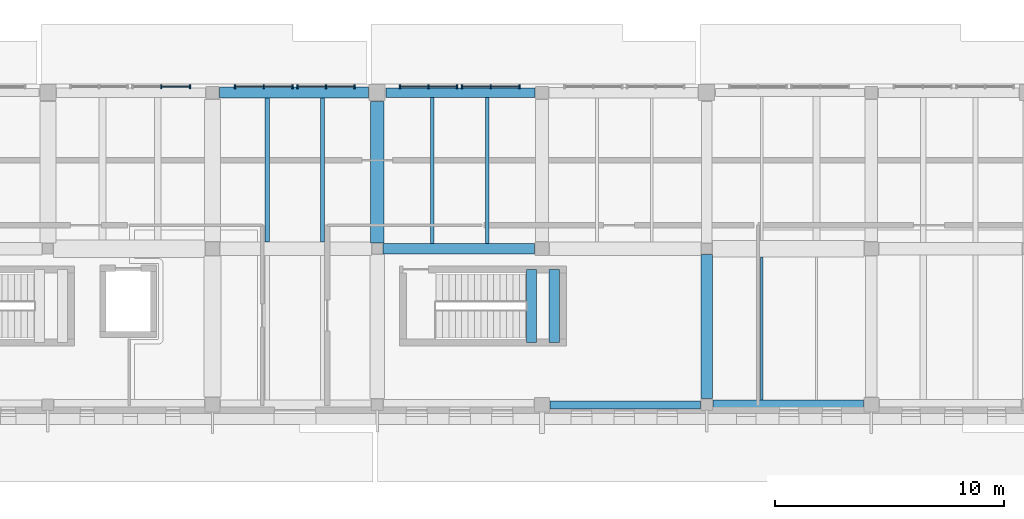
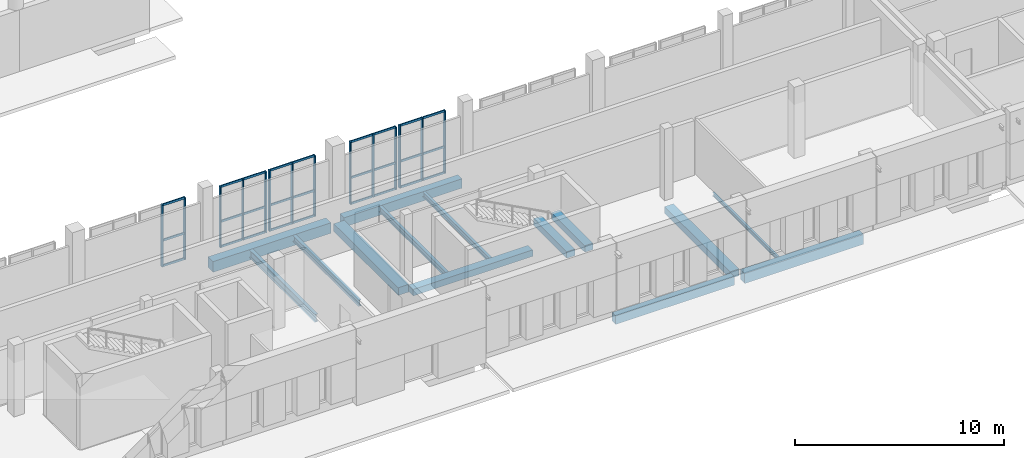
# One storey, part 14 of 77: 41 members, 14 beams, 5 elements without a shape of their own.
"""IFC4 building model written with IfcOpenShell, lengths in metres."""

from ifc_helpers import new_model, si_unit, direction, frame, origin, origin_2d, place, context, subcontext, project, spatial, rectangle, i_section, extrude, material, layer, layer_set, material_profile, profile_set, type_object, element, aggregate, save


model = new_model("IFC4")

# Units and contexts
model_context = context("Model", 3, precision=1e-05, world=origin(), true_north=direction((0.0, 1.0)))
body_context = subcontext(model_context, "Body", "Model", "MODEL_VIEW")
ifc_project = project(units=[si_unit("LENGTHUNIT", "METRE"), si_unit("AREAUNIT", "SQUARE_METRE"), si_unit("VOLUMEUNIT", "CUBIC_METRE"), si_unit("PLANEANGLEUNIT", "RADIAN"), si_unit("MASSUNIT", "GRAM", prefix="KILO")], contexts=[model_context])

# Site, building, storey
site_placement = place(None, origin())
site = spatial("IfcSite", under=ifc_project, at=site_placement, CompositionType="ELEMENT")
building_placement = place(site_placement, origin())
building = spatial("IfcBuilding", under=site, at=building_placement, Name="Vardoun Plaza Health Centre", CompositionType="ELEMENT")
storey_placement = place(building_placement, origin())
storey = spatial("IfcBuildingStorey", under=building, at=storey_placement, Name="L00", CompositionType="ELEMENT", Elevation=0.0)

# Beams
ifc_material_1 = material(Name="Concrete C35/45", Category="concrete")
ifc_material_profile_1 = material_profile(ifc_material_1, rectangle(XDim=0.35009765625, YDim=0.5, at=origin_2d()), Name="RC-BM 350x500")
ifc_profile_set_1 = profile_set([ifc_material_profile_1], Name="Concrete C35/45")
beam_type_1 = type_object("IfcBeamType", Name="B-08", PredefinedType="SPANDREL", material=ifc_profile_set_1)
beam_1_placement = place(storey_placement, frame((84.22998046875, 4.8798828125, -0.56494140625), z_axis=(1.0, 0.0, 0.0), x_axis=(0.0, 1.0, 0.0)))
element("IfcBeam", 1, at=beam_1_placement, inside=storey, type_object=beam_type_1, Name="V4 L00 Beam B-V4-L00-X16", PredefinedType="SPANDREL", context=body_context, shape_type="SweptSolid", body=[
    extrude(rectangle(XDim=0.35009765625, YDim=0.5, at=origin_2d()), origin(), (0.0, 0.0, 1.0), 6.574951171875),
])
ifc_material_2 = material(Name="Concrete C35/45", Category="concrete")
ifc_material_profile_2 = material_profile(ifc_material_2, rectangle(XDim=0.39990234375, YDim=0.550048828125, at=origin_2d()), Name="RC-BM 400x550")
ifc_profile_set_2 = profile_set([ifc_material_profile_2], Name="Concrete C35/45")
beam_type_2 = type_object("IfcBeamType", Name="B-09", PredefinedType="SPANDREL", material=ifc_profile_set_2)
beam_2_placement = place(storey_placement, frame((77.054931640625, 18.52001953125, -0.590087890625), z_axis=(1.0, 0.0, 0.0), x_axis=(0.0, 1.0, 0.0)))
element("IfcBeam", 2, at=beam_2_placement, inside=storey, type_object=beam_type_2, Name="V4 L00 Beam B-V4-L00-X15", PredefinedType="SPANDREL", context=body_context, shape_type="SweptSolid", body=[
    extrude(rectangle(XDim=0.39990234375, YDim=0.550048828125, at=origin_2d()), origin(), (0.0, 0.0, 1.0), 6.525146484375),
])
ifc_material_3 = material(Name="Concrete C35/45", Category="concrete")
ifc_material_profile_3 = material_profile(ifc_material_3, rectangle(XDim=0.419921875, YDim=0.580078125, at=origin_2d()), Name="RC-BM 420x580")
ifc_profile_set_3 = profile_set([ifc_material_profile_3], Name="Concrete C35/45")
beam_type_3 = type_object("IfcBeamType", Name="B-10", PredefinedType="SPANDREL", material=ifc_profile_set_3)
beam_3_placement = place(storey_placement, frame((91.35498046875, 4.8798828125, -0.60498046875), z_axis=(1.0, 0.0, 0.0), x_axis=(0.0, 1.0, 0.0)))
element("IfcBeam", 3, at=beam_3_placement, inside=storey, type_object=beam_type_3, Name="V4 L00 Beam B-V4-L00-X19", PredefinedType="SPANDREL", context=body_context, shape_type="SweptSolid", body=[
    extrude(rectangle(XDim=0.419921875, YDim=0.580078125, at=origin_2d()), origin(), (0.0, 0.0, 1.0), 6.574951171875),
])
ifc_material_4 = material(Name="Concrete C35/45", Category="concrete")
ifc_material_profile_4 = material_profile(ifc_material_4, rectangle(XDim=0.449951171875, YDim=0.3798828125, at=origin_2d()), Name="RC-BM 450x380")
ifc_profile_set_4 = profile_set([ifc_material_profile_4], Name="Concrete C35/45")
beam_type_4 = type_object("IfcBeamType", Name="B-01", PredefinedType="BEAM", material=ifc_profile_set_4)
beam_4_placement = place(storey_placement, frame((76.929931640625, 11.699951171875, -0.5048828125), z_axis=(1.0, 0.0, 0.0), x_axis=(0.0, 1.0, 0.0)))
element("IfcBeam", 4, at=beam_4_placement, inside=storey, type_object=beam_type_4, Name="V4 L00 Beam B-V4-L00-X14", PredefinedType="BEAM", context=body_context, shape_type="SweptSolid", body=[
    extrude(rectangle(XDim=0.449951171875, YDim=0.3798828125, at=origin_2d()), origin(), (0.0, 0.0, 1.0), 6.625),
])
for number, where, z_axis, x_axis, name in (
    (5, (83.419921875, 7.60009765625, 1.860107421875), (0.0, 1.0, 0.0), (-1.0, 0.0, 0.0), "Stair ST-C7-L00 Landing Beam 1"),
    (6, (84.419921875, 7.60009765625, 1.860107421875), (0.0, 1.0, 0.0), (-1.0, 0.0, 0.0), "Stair ST-C7-L00 Landing Beam 2"),
):
    element("IfcBeam", number, at=place(storey_placement, frame(where, z_axis=z_axis, x_axis=x_axis)), inside=storey, type_object=beam_type_4, Name=name, PredefinedType="BEAM", context=body_context, shape_type="SweptSolid", body=[
        extrude(rectangle(XDim=0.449951171875, YDim=0.3798828125, at=origin_2d()), origin(), (0.0, 0.0, 1.0), 3.199951171875),
    ])
ifc_material_5 = material(Name="Concrete C35/45", Category="concrete")
ifc_material_profile_5 = material_profile(ifc_material_5, rectangle(XDim=0.47998046875, YDim=0.6201171875, at=origin_2d()), Name="RC-BM 480x620")
ifc_profile_set_5 = profile_set([ifc_material_profile_5], Name="Concrete C35/45")
beam_type_5 = type_object("IfcBeamType", Name="B-12", PredefinedType="SPANDREL", material=ifc_profile_set_5)
beam_5_placement = place(storey_placement, frame((69.780029296875, 18.52001953125, -0.625), z_axis=(1.0, 0.0, 0.0), x_axis=(0.0, 1.0, 0.0)))
element("IfcBeam", 7, at=beam_5_placement, inside=storey, type_object=beam_type_5, Name="V4 L00 Beam B-V4-L00-X12", PredefinedType="SPANDREL", context=body_context, shape_type="SweptSolid", body=[
    extrude(rectangle(XDim=0.47998046875, YDim=0.6201171875, at=origin_2d()), origin(), (0.0, 0.0, 1.0), 6.52490234375),
])
ifc_material_6 = material(Name="Concrete C35/45", Category="concrete")
ifc_material_profile_6 = material_profile(ifc_material_6, rectangle(XDim=0.5, YDim=0.39990234375, at=origin_2d()), Name="RC-BM 500x400")
ifc_profile_set_6 = profile_set([ifc_material_profile_6], Name="Concrete C35/45")
beam_type_6 = type_object("IfcBeamType", Name="B-02", PredefinedType="BEAM", material=ifc_profile_set_6)
beam_6_placement = place(storey_placement, frame((91.080078125, 5.155029296875, -0.514892578125), z_axis=(0.0, 1.0, 0.0), x_axis=(-1.0, 0.0, 0.0)))
element("IfcBeam", 8, at=beam_6_placement, inside=storey, type_object=beam_type_6, Name="V4 L00 Beam B-V4-L00-Y35", PredefinedType="BEAM", context=body_context, shape_type="SweptSolid", body=[
    extrude(rectangle(XDim=0.5, YDim=0.39990234375, at=origin_2d()), origin(), (0.0, 0.0, 1.0), 6.294921875),
])
ifc_material_7 = material(Name="Concrete C35/45", Category="concrete")
ifc_material_profile_7 = material_profile(ifc_material_7, rectangle(XDim=0.60009765625, YDim=0.449951171875, at=origin_2d()), Name="RC-BM 600x450")
ifc_profile_set_7 = profile_set([ifc_material_profile_7], Name="Concrete C35/45")
beam_type_7 = type_object("IfcBeamType", Name="B-04", PredefinedType="BEAM", material=ifc_profile_set_7)
beam_7_placement = place(storey_placement, frame((76.679931640625, 11.949951171875, -0.5400390625), z_axis=(0.0, 1.0, 0.0), x_axis=(-1.0, 0.0, 0.0)))
element("IfcBeam", 9, at=beam_7_placement, inside=storey, type_object=beam_type_7, Name="V4 L00 Beam B-V4-L00-Y33", PredefinedType="BEAM", context=body_context, shape_type="SweptSolid", body=[
    extrude(rectangle(XDim=0.60009765625, YDim=0.449951171875, at=origin_2d()), origin(), (0.0, 0.0, 1.0), 6.195068359375),
])
ifc_material_8 = material(Name="Steel S355J2", Category="steel")
ifc_material_profile_8 = material_profile(ifc_material_8, i_section(OverallWidth=0.110107421875, OverallDepth=0.219970703125, WebThickness=0.005859375, FlangeThickness=0.00927734375, FilletRadius=0.011962890625, at=origin_2d()), Name="IPE 220")
ifc_profile_set_8 = profile_set([ifc_material_profile_8], Name="Steel S355J2")
beam_type_8 = type_object("IfcBeamType", Name="SB-18", PredefinedType="JOIST", material=ifc_profile_set_8)
beam_8_placement = place(storey_placement, frame((93.479736328125, 5.090087890625, -0.425048828125), z_axis=(0.0, 1.0, 0.0), x_axis=(-1.0, 0.0, 0.0)))
element("IfcBeam", 10, at=beam_8_placement, inside=storey, type_object=beam_type_8, Name="V4 L00 Secondary Floor Beam SJ-V4-L00-17", PredefinedType="JOIST", context=body_context, shape_type="SweptSolid", body=[
    extrude(i_section(OverallWidth=0.110107421875, OverallDepth=0.219970703125, WebThickness=0.005859375, FlangeThickness=0.00927734375, FilletRadius=0.011962890625, at=origin_2d()), origin(), (0.0, 0.0, 1.0), 6.260009765625),
])
ifc_material_9 = material(Name="Steel S355J2", Category="steel")
ifc_material_profile_9 = material_profile(ifc_material_9, i_section(OverallWidth=0.14990234375, OverallDepth=0.300048828125, WebThickness=0.007080078125, FlangeThickness=0.0107421875, FilletRadius=0.014892578125, at=origin_2d()), Name="IPE 300")
ifc_profile_set_9 = profile_set([ifc_material_profile_9], Name="Steel S355J2")
beam_type_9 = type_object("IfcBeamType", Name="SB-15", PredefinedType="JOIST", material=ifc_profile_set_9)
beam_9_placement = place(storey_placement, frame((81.480224609375, 11.925048828125, -0.465087890625), z_axis=(0.0, 1.0, 0.0), x_axis=(-1.0, 0.0, 0.0)))
element("IfcBeam", 11, at=beam_9_placement, inside=storey, type_object=beam_type_9, Name="V4 L00 Secondary Floor Beam SJ-V4-L00-14", PredefinedType="JOIST", context=body_context, shape_type="SweptSolid", body=[
    extrude(i_section(OverallWidth=0.14990234375, OverallDepth=0.300048828125, WebThickness=0.007080078125, FlangeThickness=0.0107421875, FilletRadius=0.014892578125, at=origin_2d()), origin(), (0.0, 0.0, 1.0), 6.39501953125),
])
ifc_material_10 = material(Name="Steel S355J2", Category="steel")
ifc_material_profile_10 = material_profile(ifc_material_10, i_section(OverallWidth=0.159912109375, OverallDepth=0.330078125, WebThickness=0.007568359375, FlangeThickness=0.011474609375, FilletRadius=0.01806640625, at=origin_2d()), Name="IPE 330")
ifc_profile_set_10 = profile_set([ifc_material_profile_10], Name="Steel S355J2")
beam_type_10 = type_object("IfcBeamType", Name="SB-14", PredefinedType="JOIST", material=ifc_profile_set_10)
beam_10_placement = place(storey_placement, frame((79.079833984375, 11.925048828125, -0.47998046875), z_axis=(0.0, 1.0, 0.0), x_axis=(-1.0, 0.0, 0.0)))
element("IfcBeam", 12, at=beam_10_placement, inside=storey, type_object=beam_type_10, Name="V4 L00 Secondary Floor Beam SJ-V4-L00-13", PredefinedType="JOIST", context=body_context, shape_type="SweptSolid", body=[
    extrude(i_section(OverallWidth=0.159912109375, OverallDepth=0.330078125, WebThickness=0.007568359375, FlangeThickness=0.011474609375, FilletRadius=0.01806640625, at=origin_2d()), origin(), (0.0, 0.0, 1.0), 6.39501953125),
])
ifc_material_11 = material(Name="Steel S355J2", Category="steel")
ifc_material_profile_11 = material_profile(ifc_material_11, i_section(OverallWidth=0.169921875, OverallDepth=0.360107421875, WebThickness=0.008056640625, FlangeThickness=0.0126953125, FilletRadius=0.01806640625, at=origin_2d()), Name="IPE 360")
ifc_profile_set_11 = profile_set([ifc_material_profile_11], Name="Steel S355J2")
beam_type_11 = type_object("IfcBeamType", Name="SB-13", PredefinedType="JOIST", material=ifc_profile_set_11)
beam_11_placement = place(storey_placement, frame((74.2802734375, 12.0, -0.4951171875), z_axis=(0.0, 1.0, 0.0), x_axis=(-1.0, 0.0, 0.0)))
element("IfcBeam", 13, at=beam_11_placement, inside=storey, type_object=beam_type_11, Name="V4 L00 Secondary Floor Beam SJ-V4-L00-12", PredefinedType="JOIST", context=body_context, shape_type="SweptSolid", body=[
    extrude(i_section(OverallWidth=0.169921875, OverallDepth=0.360107421875, WebThickness=0.008056640625, FlangeThickness=0.0126953125, FilletRadius=0.01806640625, at=origin_2d()), origin(), (0.0, 0.0, 1.0), 6.280029296875),
])
ifc_material_12 = material(Name="Steel S355J2", Category="steel")
ifc_material_profile_12 = material_profile(ifc_material_12, i_section(OverallWidth=0.18994140625, OverallDepth=0.449951171875, WebThickness=0.009521484375, FlangeThickness=0.0146484375, FilletRadius=0.02099609375, at=origin_2d()), Name="IPE 450")
ifc_profile_set_12 = profile_set([ifc_material_profile_12], Name="Steel S355J2")
beam_type_12 = type_object("IfcBeamType", Name="SB-11", PredefinedType="BEAM", material=ifc_profile_set_12)
beam_12_placement = place(storey_placement, frame((71.8798828125, 12.0, -0.5400390625), z_axis=(0.0, 1.0, 0.0), x_axis=(-1.0, 0.0, 0.0)))
element("IfcBeam", 14, at=beam_12_placement, inside=storey, type_object=beam_type_12, Name="V4 L00 Secondary Floor Beam SJ-V4-L00-10", PredefinedType="BEAM", context=body_context, shape_type="SweptSolid", body=[
    extrude(i_section(OverallWidth=0.18994140625, OverallDepth=0.449951171875, WebThickness=0.009521484375, FlangeThickness=0.0146484375, FilletRadius=0.02099609375, at=origin_2d()), origin(), (0.0, 0.0, 1.0), 6.280029296875),
])

# Curtain wall, members
ifc_material_13 = material(Name="Aluminium Alloy EN AW-6063-T6 and Low-E Glass", Category="aluminium")
ifc_layer = layer(ifc_material_13, 0.14990234375)
ifc_layer_set = layer_set([ifc_layer], Name="Aluminium Alloy EN AW-6063-T6 and Low-E Glass")
curtain_wall_type = type_object("IfcCurtainWallType", Name="CW-03", PredefinedType="NOTDEFINED", material=ifc_layer_set)
curtain_wall_1_placement = place(storey_placement, origin())
curtain_wall_1 = element("IfcCurtainWall", 15, at=curtain_wall_1_placement, inside=storey, type_object=curtain_wall_type, Name="Curtain Wall CW-V4-106", PredefinedType="NOTDEFINED")
ifc_material_14 = material(Name="Aluminium Alloy EN AW-6063-T6", Category="aluminium")
ifc_material_profile_13 = material_profile(ifc_material_14, rectangle(XDim=0.159912109375, YDim=0.06005859375, at=origin_2d()), Name="CWM 60x160")
ifc_profile_set_13 = profile_set([ifc_material_profile_13], Name="Aluminium Alloy EN AW-6063-T6")
member_type_1 = type_object("IfcMemberType", Name="CW-M1", PredefinedType="MULLION", material=ifc_profile_set_13)
member_1_placement = place(storey_placement, frame((67.239990234375, 18.780029296875, 0.0), z_axis=(0.0, 0.0, 1.0), x_axis=(0.0, 1.0, 0.0)))
member_1 = element("IfcMember", 16, at=member_1_placement, type_object=member_type_1, Name="CW-V4-106 mullion 2", PredefinedType="MULLION", context=body_context, shape_type="SweptSolid", body=[
    extrude(rectangle(XDim=0.159912109375, YDim=0.06005859375, at=origin_2d()), origin(), (0.0, 0.0, 1.0), 3.6201171875),
])
member_2_placement = place(storey_placement, frame((68.489990234375, 18.780029296875, 0.0), z_axis=(0.0, 0.0, 1.0), x_axis=(0.0, 1.0, 0.0)))
member_2 = element("IfcMember", 17, at=member_2_placement, type_object=member_type_1, Name="CW-V4-106 mullion 3", PredefinedType="MULLION", context=body_context, shape_type="SweptSolid", body=[
    extrude(rectangle(XDim=0.159912109375, YDim=0.06005859375, at=origin_2d()), origin(), (0.0, 0.0, 1.0), 3.6201171875),
])

curtain_wall_2_placement = place(storey_placement, origin())
curtain_wall_2 = element("IfcCurtainWall", 18, at=curtain_wall_2_placement, inside=storey, type_object=curtain_wall_type, Name="Curtain Wall CW-V4-107", PredefinedType="NOTDEFINED")
member_3_placement = place(storey_placement, frame((70.469970703125, 18.780029296875, 0.0), z_axis=(0.0, 0.0, 1.0), x_axis=(0.0, 1.0, 0.0)))
member_3 = element("IfcMember", 19, at=member_3_placement, type_object=member_type_1, Name="CW-V4-107 mullion 1", PredefinedType="MULLION", context=body_context, shape_type="SweptSolid", body=[
    extrude(rectangle(XDim=0.159912109375, YDim=0.06005859375, at=origin_2d()), origin(), (0.0, 0.0, 1.0), 3.570068359375),
])
member_4_placement = place(storey_placement, frame((71.719970703125, 18.780029296875, 0.0), z_axis=(0.0, 0.0, 1.0), x_axis=(0.0, 1.0, 0.0)))
member_4 = element("IfcMember", 20, at=member_4_placement, type_object=member_type_1, Name="CW-V4-107 mullion 2", PredefinedType="MULLION", context=body_context, shape_type="SweptSolid", body=[
    extrude(rectangle(XDim=0.159912109375, YDim=0.06005859375, at=origin_2d()), origin(), (0.0, 0.0, 1.0), 3.570068359375),
])
member_5_placement = place(storey_placement, frame((72.969970703125, 18.780029296875, 0.0), z_axis=(0.0, 0.0, 1.0), x_axis=(0.0, 1.0, 0.0)))
member_5 = element("IfcMember", 21, at=member_5_placement, type_object=member_type_1, Name="CW-V4-107 mullion 3", PredefinedType="MULLION", context=body_context, shape_type="SweptSolid", body=[
    extrude(rectangle(XDim=0.159912109375, YDim=0.06005859375, at=origin_2d()), origin(), (0.0, 0.0, 1.0), 3.570068359375),
])

curtain_wall_3_placement = place(storey_placement, origin())
curtain_wall_3 = element("IfcCurtainWall", 22, at=curtain_wall_3_placement, inside=storey, type_object=curtain_wall_type, Name="Curtain Wall CW-V4-108", PredefinedType="NOTDEFINED")
member_6_placement = place(storey_placement, frame((73.190185546875, 18.780029296875, 0.0), z_axis=(0.0, 0.0, 1.0), x_axis=(0.0, 1.0, 0.0)))
member_6 = element("IfcMember", 23, at=member_6_placement, type_object=member_type_1, Name="CW-V4-108 mullion 1", PredefinedType="MULLION", context=body_context, shape_type="SweptSolid", body=[
    extrude(rectangle(XDim=0.159912109375, YDim=0.06005859375, at=origin_2d()), origin(), (0.0, 0.0, 1.0), 3.570068359375),
])
member_7_placement = place(storey_placement, frame((74.440185546875, 18.780029296875, 0.0), z_axis=(0.0, 0.0, 1.0), x_axis=(0.0, 1.0, 0.0)))
member_7 = element("IfcMember", 24, at=member_7_placement, type_object=member_type_1, Name="CW-V4-108 mullion 2", PredefinedType="MULLION", context=body_context, shape_type="SweptSolid", body=[
    extrude(rectangle(XDim=0.159912109375, YDim=0.06005859375, at=origin_2d()), origin(), (0.0, 0.0, 1.0), 3.570068359375),
])
member_8_placement = place(storey_placement, frame((75.690185546875, 18.780029296875, 0.0), z_axis=(0.0, 0.0, 1.0), x_axis=(0.0, 1.0, 0.0)))
member_8 = element("IfcMember", 25, at=member_8_placement, type_object=member_type_1, Name="CW-V4-108 mullion 3", PredefinedType="MULLION", context=body_context, shape_type="SweptSolid", body=[
    extrude(rectangle(XDim=0.159912109375, YDim=0.06005859375, at=origin_2d()), origin(), (0.0, 0.0, 1.0), 3.570068359375),
])

curtain_wall_4_placement = place(storey_placement, origin())
curtain_wall_4 = element("IfcCurtainWall", 26, at=curtain_wall_4_placement, inside=storey, type_object=curtain_wall_type, Name="Curtain Wall CW-V4-109", PredefinedType="NOTDEFINED")
member_9_placement = place(storey_placement, frame((77.669921875, 18.780029296875, 0.0), z_axis=(0.0, 0.0, 1.0), x_axis=(0.0, 1.0, 0.0)))
member_9 = element("IfcMember", 27, at=member_9_placement, type_object=member_type_1, Name="CW-V4-109 mullion 1", PredefinedType="MULLION", context=body_context, shape_type="SweptSolid", body=[
    extrude(rectangle(XDim=0.159912109375, YDim=0.06005859375, at=origin_2d()), origin(), (0.0, 0.0, 1.0), 3.669921875),
])
member_10_placement = place(storey_placement, frame((78.919921875, 18.780029296875, 0.0), z_axis=(0.0, 0.0, 1.0), x_axis=(0.0, 1.0, 0.0)))
member_10 = element("IfcMember", 28, at=member_10_placement, type_object=member_type_1, Name="CW-V4-109 mullion 2", PredefinedType="MULLION", context=body_context, shape_type="SweptSolid", body=[
    extrude(rectangle(XDim=0.159912109375, YDim=0.06005859375, at=origin_2d()), origin(), (0.0, 0.0, 1.0), 3.669921875),
])
member_11_placement = place(storey_placement, frame((80.169921875, 18.780029296875, 0.0), z_axis=(0.0, 0.0, 1.0), x_axis=(0.0, 1.0, 0.0)))
member_11 = element("IfcMember", 29, at=member_11_placement, type_object=member_type_1, Name="CW-V4-109 mullion 3", PredefinedType="MULLION", context=body_context, shape_type="SweptSolid", body=[
    extrude(rectangle(XDim=0.159912109375, YDim=0.06005859375, at=origin_2d()), origin(), (0.0, 0.0, 1.0), 3.669921875),
])

curtain_wall_5_placement = place(storey_placement, origin())
curtain_wall_5 = element("IfcCurtainWall", 30, at=curtain_wall_5_placement, inside=storey, type_object=curtain_wall_type, Name="Curtain Wall CW-V4-110", PredefinedType="NOTDEFINED")
member_12_placement = place(storey_placement, frame((80.389892578125, 18.780029296875, 0.0), z_axis=(0.0, 0.0, 1.0), x_axis=(0.0, 1.0, 0.0)))
member_12 = element("IfcMember", 31, at=member_12_placement, type_object=member_type_1, Name="CW-V4-110 mullion 1", PredefinedType="MULLION", context=body_context, shape_type="SweptSolid", body=[
    extrude(rectangle(XDim=0.159912109375, YDim=0.06005859375, at=origin_2d()), origin(), (0.0, 0.0, 1.0), 3.669921875),
])
member_13_placement = place(storey_placement, frame((81.639892578125, 18.780029296875, 0.0), z_axis=(0.0, 0.0, 1.0), x_axis=(0.0, 1.0, 0.0)))
member_13 = element("IfcMember", 32, at=member_13_placement, type_object=member_type_1, Name="CW-V4-110 mullion 2", PredefinedType="MULLION", context=body_context, shape_type="SweptSolid", body=[
    extrude(rectangle(XDim=0.159912109375, YDim=0.06005859375, at=origin_2d()), origin(), (0.0, 0.0, 1.0), 3.669921875),
])
member_14_placement = place(storey_placement, frame((82.889892578125, 18.780029296875, 0.0), z_axis=(0.0, 0.0, 1.0), x_axis=(0.0, 1.0, 0.0)))
member_14 = element("IfcMember", 33, at=member_14_placement, type_object=member_type_1, Name="CW-V4-110 mullion 3", PredefinedType="MULLION", context=body_context, shape_type="SweptSolid", body=[
    extrude(rectangle(XDim=0.159912109375, YDim=0.06005859375, at=origin_2d()), origin(), (0.0, 0.0, 1.0), 3.669921875),
])

# Member
ifc_material_15 = material(Name="Aluminium Alloy EN AW-6063-T6", Category="aluminium")
ifc_material_profile_14 = material_profile(ifc_material_15, rectangle(XDim=0.06005859375, YDim=0.1201171875, at=origin_2d()), Name="CWT 60x120")
ifc_profile_set_14 = profile_set([ifc_material_profile_14], Name="Aluminium Alloy EN AW-6063-T6")
member_type_2 = type_object("IfcMemberType", Name="CW-T1", PredefinedType="USERDEFINED", material=ifc_profile_set_14)
member_15_placement = place(storey_placement, frame((67.27001953125, 18.780029296875, 0.030029296875), z_axis=(1.0, 0.0, 0.0), x_axis=(0.0, 1.0, 0.0)))
member_15 = element("IfcMember", 34, at=member_15_placement, type_object=member_type_2, Name="CW-V4-106 transom 2.1", ObjectType="TRANSOM", PredefinedType="USERDEFINED", context=body_context, shape_type="SweptSolid", body=[
    extrude(rectangle(XDim=0.06005859375, YDim=0.1201171875, at=origin_2d()), origin(), (0.0, 0.0, 1.0), 1.18994140625),
])

member_16_placement = place(storey_placement, frame((67.27001953125, 18.780029296875, 1.5205078125), z_axis=(1.0, 0.0, 0.0), x_axis=(0.0, 1.0, 0.0)))
member_16 = element("IfcMember", 35, at=member_16_placement, type_object=member_type_2, Name="CW-V4-106 transom 2.2", ObjectType="TRANSOM", PredefinedType="USERDEFINED", context=body_context, shape_type="SweptSolid", body=[
    extrude(rectangle(XDim=0.06005859375, YDim=0.1201171875, at=origin_2d()), origin(), (0.0, 0.0, 1.0), 1.18994140625),
])

member_17_placement = place(storey_placement, frame((67.27001953125, 18.780029296875, 3.590087890625), z_axis=(1.0, 0.0, 0.0), x_axis=(0.0, 1.0, 0.0)))
member_17 = element("IfcMember", 36, at=member_17_placement, type_object=member_type_2, Name="CW-V4-106 transom 2.3", ObjectType="TRANSOM", PredefinedType="USERDEFINED", context=body_context, shape_type="SweptSolid", body=[
    extrude(rectangle(XDim=0.06005859375, YDim=0.1201171875, at=origin_2d()), origin(), (0.0, 0.0, 1.0), 1.18994140625),
])

aggregate(curtain_wall_1, [member_1, member_2, member_15, member_16, member_17])

member_18_placement = place(storey_placement, frame((70.5, 18.780029296875, 0.030029296875), z_axis=(1.0, 0.0, 0.0), x_axis=(0.0, 1.0, 0.0)))
member_18 = element("IfcMember", 37, at=member_18_placement, type_object=member_type_2, Name="CW-V4-107 transom 1.1", ObjectType="TRANSOM", PredefinedType="USERDEFINED", context=body_context, shape_type="SweptSolid", body=[
    extrude(rectangle(XDim=0.06005859375, YDim=0.1201171875, at=origin_2d()), origin(), (0.0, 0.0, 1.0), 1.190185546875),
])

member_19_placement = place(storey_placement, frame((70.5, 18.780029296875, 1.49951171875), z_axis=(1.0, 0.0, 0.0), x_axis=(0.0, 1.0, 0.0)))
member_19 = element("IfcMember", 38, at=member_19_placement, type_object=member_type_2, Name="CW-V4-107 transom 1.2", ObjectType="TRANSOM", PredefinedType="USERDEFINED", context=body_context, shape_type="SweptSolid", body=[
    extrude(rectangle(XDim=0.06005859375, YDim=0.1201171875, at=origin_2d()), origin(), (0.0, 0.0, 1.0), 1.190185546875),
])

member_20_placement = place(storey_placement, frame((70.5, 18.780029296875, 3.5400390625), z_axis=(1.0, 0.0, 0.0), x_axis=(0.0, 1.0, 0.0)))
member_20 = element("IfcMember", 39, at=member_20_placement, type_object=member_type_2, Name="CW-V4-107 transom 1.3", ObjectType="TRANSOM", PredefinedType="USERDEFINED", context=body_context, shape_type="SweptSolid", body=[
    extrude(rectangle(XDim=0.06005859375, YDim=0.1201171875, at=origin_2d()), origin(), (0.0, 0.0, 1.0), 1.190185546875),
])

member_21_placement = place(storey_placement, frame((71.75, 18.780029296875, 0.030029296875), z_axis=(1.0, 0.0, 0.0), x_axis=(0.0, 1.0, 0.0)))
member_21 = element("IfcMember", 40, at=member_21_placement, type_object=member_type_2, Name="CW-V4-107 transom 2.1", ObjectType="TRANSOM", PredefinedType="USERDEFINED", context=body_context, shape_type="SweptSolid", body=[
    extrude(rectangle(XDim=0.06005859375, YDim=0.1201171875, at=origin_2d()), origin(), (0.0, 0.0, 1.0), 1.190185546875),
])

member_22_placement = place(storey_placement, frame((71.75, 18.780029296875, 1.49951171875), z_axis=(1.0, 0.0, 0.0), x_axis=(0.0, 1.0, 0.0)))
member_22 = element("IfcMember", 41, at=member_22_placement, type_object=member_type_2, Name="CW-V4-107 transom 2.2", ObjectType="TRANSOM", PredefinedType="USERDEFINED", context=body_context, shape_type="SweptSolid", body=[
    extrude(rectangle(XDim=0.06005859375, YDim=0.1201171875, at=origin_2d()), origin(), (0.0, 0.0, 1.0), 1.190185546875),
])

member_23_placement = place(storey_placement, frame((71.75, 18.780029296875, 3.5400390625), z_axis=(1.0, 0.0, 0.0), x_axis=(0.0, 1.0, 0.0)))
member_23 = element("IfcMember", 42, at=member_23_placement, type_object=member_type_2, Name="CW-V4-107 transom 2.3", ObjectType="TRANSOM", PredefinedType="USERDEFINED", context=body_context, shape_type="SweptSolid", body=[
    extrude(rectangle(XDim=0.06005859375, YDim=0.1201171875, at=origin_2d()), origin(), (0.0, 0.0, 1.0), 1.190185546875),
])

aggregate(curtain_wall_2, [member_3, member_4, member_5, member_18, member_19, member_20, member_21, member_22, member_23])

member_24_placement = place(storey_placement, frame((73.219970703125, 18.780029296875, 0.030029296875), z_axis=(1.0, 0.0, 0.0), x_axis=(0.0, 1.0, 0.0)))
member_24 = element("IfcMember", 43, at=member_24_placement, type_object=member_type_2, Name="CW-V4-108 transom 1.1", ObjectType="TRANSOM", PredefinedType="USERDEFINED", context=body_context, shape_type="SweptSolid", body=[
    extrude(rectangle(XDim=0.06005859375, YDim=0.1201171875, at=origin_2d()), origin(), (0.0, 0.0, 1.0), 1.18994140625),
])

member_25_placement = place(storey_placement, frame((73.219970703125, 18.780029296875, 1.49951171875), z_axis=(1.0, 0.0, 0.0), x_axis=(0.0, 1.0, 0.0)))
member_25 = element("IfcMember", 44, at=member_25_placement, type_object=member_type_2, Name="CW-V4-108 transom 1.2", ObjectType="TRANSOM", PredefinedType="USERDEFINED", context=body_context, shape_type="SweptSolid", body=[
    extrude(rectangle(XDim=0.06005859375, YDim=0.1201171875, at=origin_2d()), origin(), (0.0, 0.0, 1.0), 1.18994140625),
])

member_26_placement = place(storey_placement, frame((73.219970703125, 18.780029296875, 3.5400390625), z_axis=(1.0, 0.0, 0.0), x_axis=(0.0, 1.0, 0.0)))
member_26 = element("IfcMember", 45, at=member_26_placement, type_object=member_type_2, Name="CW-V4-108 transom 1.3", ObjectType="TRANSOM", PredefinedType="USERDEFINED", context=body_context, shape_type="SweptSolid", body=[
    extrude(rectangle(XDim=0.06005859375, YDim=0.1201171875, at=origin_2d()), origin(), (0.0, 0.0, 1.0), 1.18994140625),
])

member_27_placement = place(storey_placement, frame((74.469970703125, 18.780029296875, 0.030029296875), z_axis=(1.0, 0.0, 0.0), x_axis=(0.0, 1.0, 0.0)))
member_27 = element("IfcMember", 46, at=member_27_placement, type_object=member_type_2, Name="CW-V4-108 transom 2.1", ObjectType="TRANSOM", PredefinedType="USERDEFINED", context=body_context, shape_type="SweptSolid", body=[
    extrude(rectangle(XDim=0.06005859375, YDim=0.1201171875, at=origin_2d()), origin(), (0.0, 0.0, 1.0), 1.18994140625),
])

member_28_placement = place(storey_placement, frame((74.469970703125, 18.780029296875, 1.49951171875), z_axis=(1.0, 0.0, 0.0), x_axis=(0.0, 1.0, 0.0)))
member_28 = element("IfcMember", 47, at=member_28_placement, type_object=member_type_2, Name="CW-V4-108 transom 2.2", ObjectType="TRANSOM", PredefinedType="USERDEFINED", context=body_context, shape_type="SweptSolid", body=[
    extrude(rectangle(XDim=0.06005859375, YDim=0.1201171875, at=origin_2d()), origin(), (0.0, 0.0, 1.0), 1.18994140625),
])

member_29_placement = place(storey_placement, frame((74.469970703125, 18.780029296875, 3.5400390625), z_axis=(1.0, 0.0, 0.0), x_axis=(0.0, 1.0, 0.0)))
member_29 = element("IfcMember", 48, at=member_29_placement, type_object=member_type_2, Name="CW-V4-108 transom 2.3", ObjectType="TRANSOM", PredefinedType="USERDEFINED", context=body_context, shape_type="SweptSolid", body=[
    extrude(rectangle(XDim=0.06005859375, YDim=0.1201171875, at=origin_2d()), origin(), (0.0, 0.0, 1.0), 1.18994140625),
])

aggregate(curtain_wall_3, [member_6, member_7, member_8, member_24, member_25, member_26, member_27, member_28, member_29])

member_30_placement = place(storey_placement, frame((77.699951171875, 18.780029296875, 0.030029296875), z_axis=(1.0, 0.0, 0.0), x_axis=(0.0, 1.0, 0.0)))
member_30 = element("IfcMember", 49, at=member_30_placement, type_object=member_type_2, Name="CW-V4-109 transom 1.1", ObjectType="TRANSOM", PredefinedType="USERDEFINED", context=body_context, shape_type="SweptSolid", body=[
    extrude(rectangle(XDim=0.06005859375, YDim=0.1201171875, at=origin_2d()), origin(), (0.0, 0.0, 1.0), 1.18994140625),
])

member_31_placement = place(storey_placement, frame((77.699951171875, 18.780029296875, 1.54150390625), z_axis=(1.0, 0.0, 0.0), x_axis=(0.0, 1.0, 0.0)))
member_31 = element("IfcMember", 50, at=member_31_placement, type_object=member_type_2, Name="CW-V4-109 transom 1.2", ObjectType="TRANSOM", PredefinedType="USERDEFINED", context=body_context, shape_type="SweptSolid", body=[
    extrude(rectangle(XDim=0.06005859375, YDim=0.1201171875, at=origin_2d()), origin(), (0.0, 0.0, 1.0), 1.18994140625),
])

member_32_placement = place(storey_placement, frame((77.699951171875, 18.780029296875, 3.639892578125), z_axis=(1.0, 0.0, 0.0), x_axis=(0.0, 1.0, 0.0)))
member_32 = element("IfcMember", 51, at=member_32_placement, type_object=member_type_2, Name="CW-V4-109 transom 1.3", ObjectType="TRANSOM", PredefinedType="USERDEFINED", context=body_context, shape_type="SweptSolid", body=[
    extrude(rectangle(XDim=0.06005859375, YDim=0.1201171875, at=origin_2d()), origin(), (0.0, 0.0, 1.0), 1.18994140625),
])

member_33_placement = place(storey_placement, frame((78.949951171875, 18.780029296875, 0.030029296875), z_axis=(1.0, 0.0, 0.0), x_axis=(0.0, 1.0, 0.0)))
member_33 = element("IfcMember", 52, at=member_33_placement, type_object=member_type_2, Name="CW-V4-109 transom 2.1", ObjectType="TRANSOM", PredefinedType="USERDEFINED", context=body_context, shape_type="SweptSolid", body=[
    extrude(rectangle(XDim=0.06005859375, YDim=0.1201171875, at=origin_2d()), origin(), (0.0, 0.0, 1.0), 1.18994140625),
])

member_34_placement = place(storey_placement, frame((78.949951171875, 18.780029296875, 1.54150390625), z_axis=(1.0, 0.0, 0.0), x_axis=(0.0, 1.0, 0.0)))
member_34 = element("IfcMember", 53, at=member_34_placement, type_object=member_type_2, Name="CW-V4-109 transom 2.2", ObjectType="TRANSOM", PredefinedType="USERDEFINED", context=body_context, shape_type="SweptSolid", body=[
    extrude(rectangle(XDim=0.06005859375, YDim=0.1201171875, at=origin_2d()), origin(), (0.0, 0.0, 1.0), 1.18994140625),
])

member_35_placement = place(storey_placement, frame((78.949951171875, 18.780029296875, 3.639892578125), z_axis=(1.0, 0.0, 0.0), x_axis=(0.0, 1.0, 0.0)))
member_35 = element("IfcMember", 54, at=member_35_placement, type_object=member_type_2, Name="CW-V4-109 transom 2.3", ObjectType="TRANSOM", PredefinedType="USERDEFINED", context=body_context, shape_type="SweptSolid", body=[
    extrude(rectangle(XDim=0.06005859375, YDim=0.1201171875, at=origin_2d()), origin(), (0.0, 0.0, 1.0), 1.18994140625),
])

aggregate(curtain_wall_4, [member_9, member_10, member_11, member_30, member_31, member_32, member_33, member_34, member_35])

member_36_placement = place(storey_placement, frame((80.419921875, 18.780029296875, 0.030029296875), z_axis=(1.0, 0.0, 0.0), x_axis=(0.0, 1.0, 0.0)))
member_36 = element("IfcMember", 55, at=member_36_placement, type_object=member_type_2, Name="CW-V4-110 transom 1.1", ObjectType="TRANSOM", PredefinedType="USERDEFINED", context=body_context, shape_type="SweptSolid", body=[
    extrude(rectangle(XDim=0.06005859375, YDim=0.1201171875, at=origin_2d()), origin(), (0.0, 0.0, 1.0), 1.190185546875),
])

member_37_placement = place(storey_placement, frame((80.419921875, 18.780029296875, 1.54150390625), z_axis=(1.0, 0.0, 0.0), x_axis=(0.0, 1.0, 0.0)))
member_37 = element("IfcMember", 56, at=member_37_placement, type_object=member_type_2, Name="CW-V4-110 transom 1.2", ObjectType="TRANSOM", PredefinedType="USERDEFINED", context=body_context, shape_type="SweptSolid", body=[
    extrude(rectangle(XDim=0.06005859375, YDim=0.1201171875, at=origin_2d()), origin(), (0.0, 0.0, 1.0), 1.190185546875),
])

member_38_placement = place(storey_placement, frame((80.419921875, 18.780029296875, 3.639892578125), z_axis=(1.0, 0.0, 0.0), x_axis=(0.0, 1.0, 0.0)))
member_38 = element("IfcMember", 57, at=member_38_placement, type_object=member_type_2, Name="CW-V4-110 transom 1.3", ObjectType="TRANSOM", PredefinedType="USERDEFINED", context=body_context, shape_type="SweptSolid", body=[
    extrude(rectangle(XDim=0.06005859375, YDim=0.1201171875, at=origin_2d()), origin(), (0.0, 0.0, 1.0), 1.190185546875),
])

member_39_placement = place(storey_placement, frame((81.669921875, 18.780029296875, 0.030029296875), z_axis=(1.0, 0.0, 0.0), x_axis=(0.0, 1.0, 0.0)))
member_39 = element("IfcMember", 58, at=member_39_placement, type_object=member_type_2, Name="CW-V4-110 transom 2.1", ObjectType="TRANSOM", PredefinedType="USERDEFINED", context=body_context, shape_type="SweptSolid", body=[
    extrude(rectangle(XDim=0.06005859375, YDim=0.1201171875, at=origin_2d()), origin(), (0.0, 0.0, 1.0), 1.190185546875),
])

member_40_placement = place(storey_placement, frame((81.669921875, 18.780029296875, 1.54150390625), z_axis=(1.0, 0.0, 0.0), x_axis=(0.0, 1.0, 0.0)))
member_40 = element("IfcMember", 59, at=member_40_placement, type_object=member_type_2, Name="CW-V4-110 transom 2.2", ObjectType="TRANSOM", PredefinedType="USERDEFINED", context=body_context, shape_type="SweptSolid", body=[
    extrude(rectangle(XDim=0.06005859375, YDim=0.1201171875, at=origin_2d()), origin(), (0.0, 0.0, 1.0), 1.190185546875),
])

member_41_placement = place(storey_placement, frame((81.669921875, 18.780029296875, 3.639892578125), z_axis=(1.0, 0.0, 0.0), x_axis=(0.0, 1.0, 0.0)))
member_41 = element("IfcMember", 60, at=member_41_placement, type_object=member_type_2, Name="CW-V4-110 transom 2.3", ObjectType="TRANSOM", PredefinedType="USERDEFINED", context=body_context, shape_type="SweptSolid", body=[
    extrude(rectangle(XDim=0.06005859375, YDim=0.1201171875, at=origin_2d()), origin(), (0.0, 0.0, 1.0), 1.190185546875),
])

aggregate(curtain_wall_5, [member_12, member_13, member_14, member_36, member_37, member_38, member_39, member_40, member_41])

save(model, "model.ifc")
